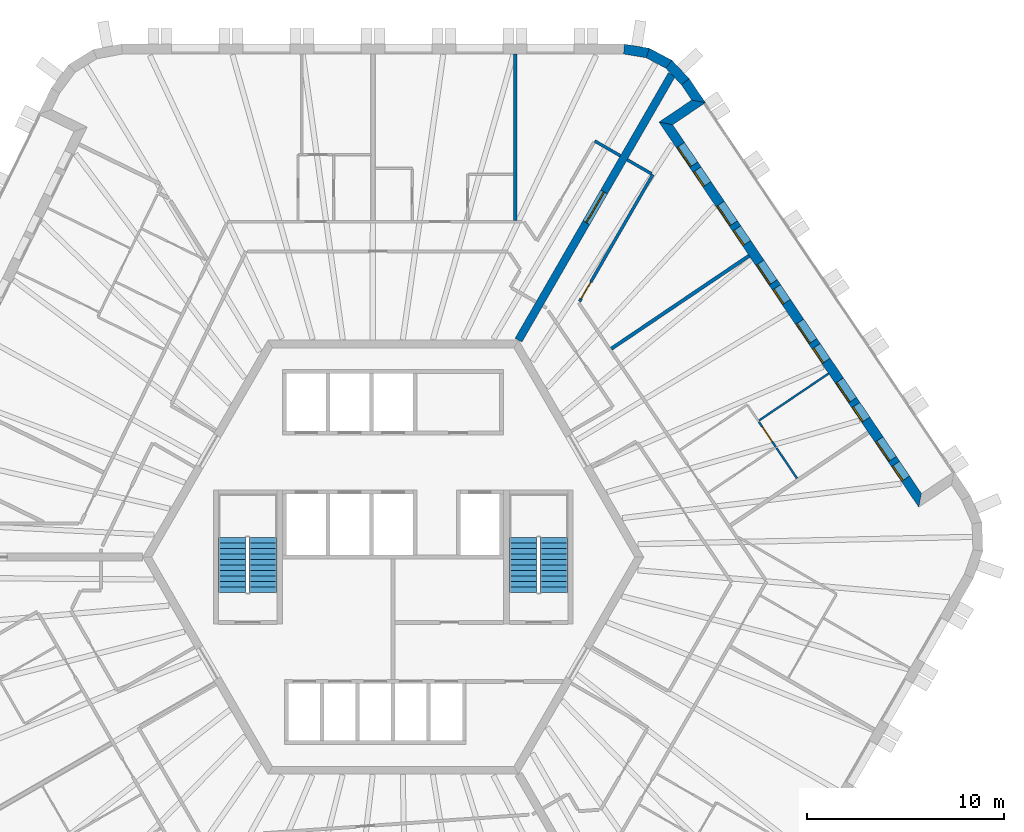
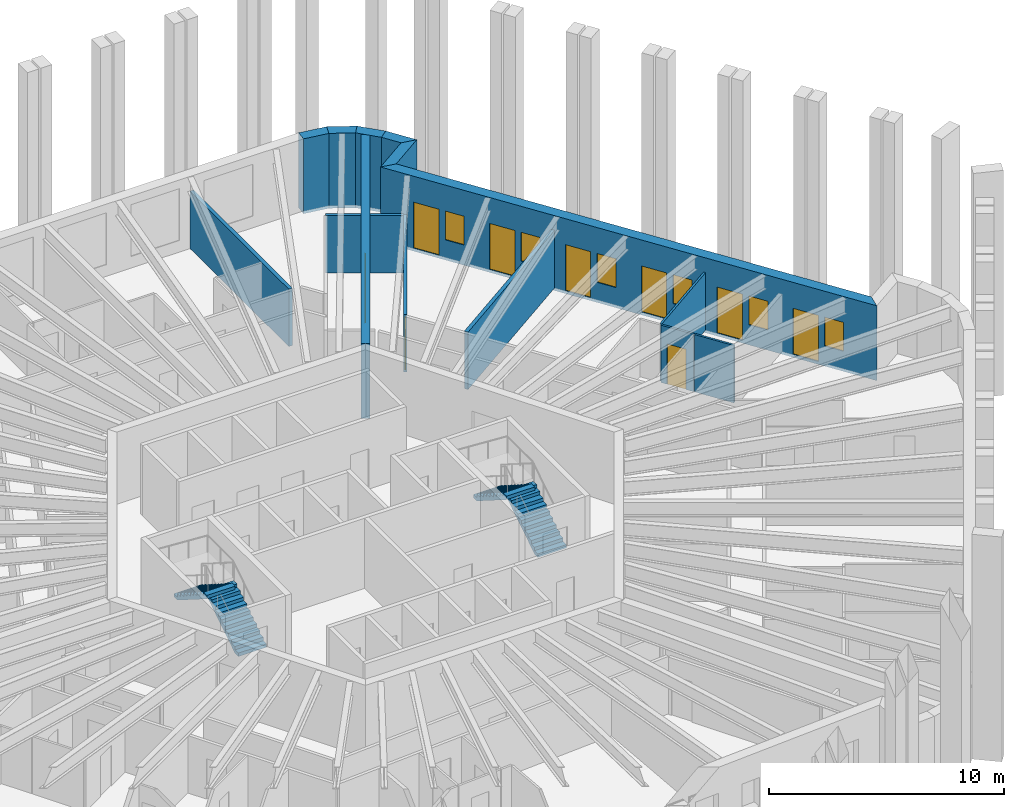
# One storey, part 10 of 12: 15 walls, 9 doors, 6 windows, 4 stair flights, 15 openings, 2 elements without a shape of their own.
"""IFC4 building model written with IfcOpenShell, lengths in metres."""

from ifc_helpers import new_model, si_unit, direction, frame, frame_2d, origin, place, context, subcontext, project, spatial, polyline, rectangle, outline, extrude, material, layer, layer_set, type_object, element, fill, aggregate, save


model = new_model("IFC4")

# Units and contexts
model_context = context("Model", 3, precision=1e-05, world=origin(), true_north=direction((0.0, 1.0)))
body_context = subcontext(model_context, "Body", "Model", "MODEL_VIEW")
ifc_project = project(units=[si_unit("LENGTHUNIT", "METRE"), si_unit("AREAUNIT", "SQUARE_METRE"), si_unit("VOLUMEUNIT", "CUBIC_METRE"), si_unit("PLANEANGLEUNIT", "RADIAN"), si_unit("MASSUNIT", "GRAM", prefix="KILO")], contexts=[model_context])

# Site, building, storey
site_placement = place(None, origin())
site = spatial("IfcSite", under=ifc_project, at=site_placement, CompositionType="ELEMENT")
building_placement = place(site_placement, origin())
building = spatial("IfcBuilding", under=site, at=building_placement, Name="Tarnside Tower", CompositionType="ELEMENT")
storey_placement = place(building_placement, frame((0.0, 0.0, 291.300048828125)))
storey = spatial("IfcBuildingStorey", under=building, at=storey_placement, Name="L70", CompositionType="ELEMENT", Elevation=291.300048828125)

# Wall
ifc_material_1 = material(Name="Gypsum board partition on steel studs", Category="steel")
ifc_layer_1 = layer(ifc_material_1, 0.10009765625)
ifc_layer_set_1 = layer_set([ifc_layer_1], Name="Bathroom wall 100")
wall_type_1 = type_object("IfcWallType", Name="Bathroom wall 100", PredefinedType="PARTITIONING", material=ifc_layer_set_1)
wall_1_placement = place(storey_placement, frame((20.46630859375, 3.992431640625, 0.0), z_axis=(0.0, 0.0, 1.0), x_axis=(-0.559110227504, 0.829093332201, 0.0)))
element("IfcWall", 1, at=wall_1_placement, inside=storey, type_object=wall_type_1, Name="Bathroom wall 23163", PredefinedType="PARTITIONING", context=body_context, shape_type="SweptSolid", body=[
    extrude(rectangle(XDim=1.86181640625, YDim=0.10009765625, at=frame_2d((0.930908203125, 0.0))), origin(), (0.0, 0.0, 1.0), 2.98779296875),
])

# Wall, opening, door
ifc_material_2 = material(Name="Concrete C60/75", Category="concrete")
ifc_layer_2 = layer(ifc_material_2, 0.39990234375)
ifc_layer_set_2 = layer_set([ifc_layer_2], Name="Core wall Z3 400 C60/75")
wall_type_2 = type_object("IfcWallType", Name="Core wall Z3 400 C60/75", PredefinedType="SHEAR", material=ifc_layer_set_2)
wall_2_placement = place(storey_placement, frame((6.350830078125, 11.0, -0.150146484375), z_axis=(0.0, 0.0, 1.0), x_axis=(0.499998894578, 0.866026041999, 0.0)))
wall_2 = element("IfcWall", 2, at=wall_2_placement, inside=storey, type_object=wall_type_2, Name="L70 spine wall 1", PredefinedType="SHEAR", context=body_context, shape_type="SweptSolid", body=[
    extrude(rectangle(XDim=15.54443359375, YDim=0.39990234375, at=frame_2d((7.772216796875, 0.0))), origin(), (0.0, 0.0, 1.0), 3.900146484375),
])
opening_1_placement = place(wall_2_placement, frame((6.872314453125, 0.0, 0.14990234375)))
opening_1 = element("IfcOpeningElement", 3, at=opening_1_placement, cuts=wall_2, Name="Opening CD-SPN", PredefinedType="OPENING", context=body_context, shape_type="SweptSolid", body=[
    extrude(rectangle(XDim=1.800048828125, YDim=2.39990234375, at=frame_2d((0.89990234375, 1.199951171875))), frame((0.0, 0.2099609375, 0.0), z_axis=(0.0, -1.0, 0.0), x_axis=(1.0, 0.0, 0.0)), (0.0, 0.0, 1.0), 0.419921875),
])
ifc_material_3 = material(Name="Steel fire door", Category="steel")
door_type_1 = type_object("IfcDoorType", Name="Spine passage double door FD60 1800x2400", OperationType="NOTDEFINED", PredefinedType="DOOR", material=ifc_material_3)
door_1_placement = place(opening_1_placement, origin())
door_1 = element("IfcDoor", 4, at=door_1_placement, inside=storey, type_object=door_type_1, Name="L70 spine passage door 1", OperationType="DOUBLE_DOOR_SINGLE_SWING", OverallHeight=2.39990234375, OverallWidth=1.800048828125, PredefinedType="DOOR", context=body_context, shape_type="SweptSolid", body=[
    extrude(rectangle(XDim=1.800048828125, YDim=2.39990234375, at=frame_2d((0.89990234375, 1.199951171875))), frame((0.0, 0.02490234375, 0.0), z_axis=(0.0, -1.0, 0.0), x_axis=(1.0, 0.0, 0.0)), (0.0, 0.0, 1.0), 0.050048828125),
])
fill(opening_1, door_1)

# Wall
ifc_layer_3 = layer(ifc_material_1, 0.14990234375)
ifc_layer_set_3 = layer_set([ifc_layer_3], Name="Corridor wall 150 EI 60")
wall_type_3 = type_object("IfcWallType", Name="Corridor wall 150 EI 60", PredefinedType="PARTITIONING", material=ifc_layer_set_3)
wall_3_placement = place(storey_placement, frame((11.513671875, 20.342529296875, 0.0), z_axis=(0.0, 0.0, 1.0), x_axis=(-0.866031096941, 0.499990139034, 0.0)))
element("IfcWall", 5, at=wall_3_placement, inside=storey, type_object=wall_type_3, Name="Corridor wall 23001", PredefinedType="PARTITIONING", context=body_context, shape_type="SweptSolid", body=[
    extrude(rectangle(XDim=1.5, YDim=0.14990234375, at=frame_2d((0.75, 0.0))), origin(), (0.0, 0.0, 1.0), 2.98779296875),
])

# Wall, opening, door
wall_4_placement = place(storey_placement, frame((9.44384765625, 12.957275390625, 0.0), z_axis=(0.0, 0.0, 1.0), x_axis=(0.500004967958, 0.866022535513, 0.0)))
wall_4 = element("IfcWall", 6, at=wall_4_placement, inside=storey, type_object=wall_type_3, Name="Corridor wall 23067", PredefinedType="PARTITIONING", context=body_context, shape_type="SweptSolid", body=[
    extrude(rectangle(XDim=7.4306640625, YDim=0.14990234375, at=frame_2d((3.71533203125, 0.0))), origin(), (0.0, 0.0, 1.0), 2.98779296875),
])
opening_2_placement = place(wall_4_placement, frame((0.14990234375, 0.0, 0.0)))
opening_2 = element("IfcOpeningElement", 7, at=opening_2_placement, cuts=wall_4, Name="Opening D-E1", PredefinedType="OPENING", context=body_context, shape_type="SweptSolid", body=[
    extrude(rectangle(XDim=1.0, YDim=2.10009765625, at=frame_2d((0.5, 1.050048828125))), frame((0.0, 0.0849609375, 0.0), z_axis=(0.0, -1.0, 0.0), x_axis=(1.0, 0.0, 0.0)), (0.0, 0.0, 1.0), 0.169921875),
])
ifc_material_4 = material(Name="Timber door leaf", Category="wood")
door_type_2 = type_object("IfcDoorType", Name="Unit entrance door 1000 FD30S", OperationType="NOTDEFINED", PredefinedType="DOOR", material=ifc_material_4)
door_2_placement = place(opening_2_placement, origin())
door_2 = element("IfcDoor", 8, at=door_2_placement, inside=storey, type_object=door_type_2, Name="Unit door 23055", OperationType="SINGLE_SWING_RIGHT", OverallHeight=2.10009765625, OverallWidth=1.0, PredefinedType="DOOR", context=body_context, shape_type="SweptSolid", body=[
    extrude(rectangle(XDim=1.0, YDim=2.10009765625, at=frame_2d((0.5, 1.050048828125))), frame((0.0, 0.02490234375, 0.0), z_axis=(0.0, -1.0, 0.0), x_axis=(1.0, 0.0, 0.0)), (0.0, 0.0, 1.0), 0.050048828125),
])
fill(opening_2, door_2)

# Walls
wall_5_placement = place(storey_placement, frame((13.09423828125, 19.429931640625, 0.0), z_axis=(0.0, 0.0, 1.0), x_axis=(-0.866062911188, 0.499935029643, 0.0)))
element("IfcWall", 9, at=wall_5_placement, inside=storey, type_object=wall_type_3, Name="Corridor wall 23068", PredefinedType="PARTITIONING", context=body_context, shape_type="SweptSolid", body=[
    extrude(rectangle(XDim=1.425048828125, YDim=0.14990234375, at=frame_2d((0.71240234375, 0.0))), origin(), (0.0, 0.0, 1.0), 2.98779296875),
])
ifc_layer_4 = layer(ifc_material_1, 0.179931640625)
ifc_layer_set_4 = layer_set([ifc_layer_4], Name="Demising wall 180 EI 60")
wall_type_4 = type_object("IfcWallType", Name="Demising wall 180 EI 60", PredefinedType="PARTITIONING", material=ifc_layer_set_4)
for number, where, z_axis, x_axis, name in (
    (10, (6.17529296875, 25.5, 0.0), (0.0, 0.0, 1.0), (0.0, -1.0, 0.0), "Demising wall 23081"),
    (11, (18.042236328125, 15.276123046875, 0.0), (0.0, 0.0, 1.0), (-0.829037762759, -0.559192621481, 0.0), "Demising wall 23160"),
):
    element("IfcWall", number, at=place(storey_placement, frame(where, z_axis=z_axis, x_axis=x_axis)), inside=storey, type_object=wall_type_4, Name=name, PredefinedType="PARTITIONING", context=body_context, shape_type="SweptSolid", body=[
        extrude(rectangle(XDim=8.425048828125, YDim=0.179931640625, at=frame_2d((4.21240234375, 0.0))), origin(), (0.0, 0.0, 1.0), 2.98779296875),
    ])

# Wall, openings, doors, windows
ifc_material_5 = material(Name="Dark zinc cladding")
ifc_layer_5 = layer(ifc_material_5, 0.10205078125)
ifc_material_6 = material(Name="Concrete C60/75 precast", Category="concrete")
ifc_layer_6 = layer(ifc_material_6, 0.298095703125)
ifc_material_7 = material(Name="Mineral wool insulation")
ifc_layer_7 = layer(ifc_material_7, 0.10009765625)
ifc_layer_set_5 = layer_set([ifc_layer_5, ifc_layer_6, ifc_layer_7], Name="Loggia wall 500 zinc faced")
wall_type_5 = type_object("IfcWallType", Name="Loggia wall 500 zinc faced", PredefinedType="SOLIDWALL", material=ifc_layer_set_5)
wall_6_placement = place(storey_placement, frame((26.705810546875, 2.87890625, -0.150146484375), z_axis=(0.0, 0.0, 1.0), x_axis=(-0.559197891507, 0.829034208061, 0.0)))
wall_6 = element("IfcWall", 12, at=wall_6_placement, inside=storey, type_object=wall_type_5, Name="Tube wall L70 F6 back 30", PredefinedType="SOLIDWALL", context=body_context, shape_type="SweptSolid", body=[
    extrude(outline(polyline([(0.25, -0.25), (22.794677734375, -0.25), (23.294677734375, 0.25), (-0.25, 0.25), (0.25, -0.25)])), origin(), (0.0, 0.0, 1.0), 3.900146484375),
])
opening_3_placement = place(wall_6_placement, frame((1.322509765625, 0.0, 1.050048828125)))
opening_3 = element("IfcOpeningElement", 13, at=opening_3_placement, cuts=wall_6, Name="Opening WL500", PredefinedType="OPENING", context=body_context, shape_type="SweptSolid", body=[
    extrude(rectangle(XDim=0.89990234375, YDim=1.5, at=frame_2d((0.449951171875, 0.75))), frame((0.0, 0.260009765625, 0.0), z_axis=(0.0, -1.0, 0.0), x_axis=(1.0, 0.0, 0.0)), (0.0, 0.0, 1.0), 0.52001953125),
])
opening_4_placement = place(wall_6_placement, frame((2.5224609375, 0.0, 0.14990234375)))
opening_4 = element("IfcOpeningElement", 14, at=opening_4_placement, cuts=wall_6, Name="Opening DB500", PredefinedType="OPENING", context=body_context, shape_type="SweptSolid", body=[
    extrude(rectangle(XDim=1.199951171875, YDim=2.39990234375, at=frame_2d((0.60009765625, 1.199951171875))), frame((0.0, 0.260009765625, 0.0), z_axis=(0.0, -1.0, 0.0), x_axis=(1.0, 0.0, 0.0)), (0.0, 0.0, 1.0), 0.52001953125),
])
opening_5_placement = place(wall_6_placement, frame((4.92236328125, 0.0, 1.050048828125)))
opening_5 = element("IfcOpeningElement", 15, at=opening_5_placement, cuts=wall_6, Name="Opening WL500", PredefinedType="OPENING", context=body_context, shape_type="SweptSolid", body=[
    extrude(rectangle(XDim=0.89990234375, YDim=1.5, at=frame_2d((0.449951171875, 0.75))), frame((0.0, 0.260009765625, 0.0), z_axis=(0.0, -1.0, 0.0), x_axis=(1.0, 0.0, 0.0)), (0.0, 0.0, 1.0), 0.52001953125),
])
opening_6_placement = place(wall_6_placement, frame((6.122314453125, 0.0, 0.14990234375)))
opening_6 = element("IfcOpeningElement", 16, at=opening_6_placement, cuts=wall_6, Name="Opening DB500", PredefinedType="OPENING", context=body_context, shape_type="SweptSolid", body=[
    extrude(rectangle(XDim=1.199951171875, YDim=2.39990234375, at=frame_2d((0.60009765625, 1.199951171875))), frame((0.0, 0.260009765625, 0.0), z_axis=(0.0, -1.0, 0.0), x_axis=(1.0, 0.0, 0.0)), (0.0, 0.0, 1.0), 0.52001953125),
])
opening_7_placement = place(wall_6_placement, frame((8.5224609375, 0.0, 1.050048828125)))
opening_7 = element("IfcOpeningElement", 17, at=opening_7_placement, cuts=wall_6, Name="Opening WL500", PredefinedType="OPENING", context=body_context, shape_type="SweptSolid", body=[
    extrude(rectangle(XDim=0.89990234375, YDim=1.5, at=frame_2d((0.449951171875, 0.75))), frame((0.0, 0.260009765625, 0.0), z_axis=(0.0, -1.0, 0.0), x_axis=(1.0, 0.0, 0.0)), (0.0, 0.0, 1.0), 0.52001953125),
])
opening_8_placement = place(wall_6_placement, frame((9.722412109375, 0.0, 0.14990234375)))
opening_8 = element("IfcOpeningElement", 18, at=opening_8_placement, cuts=wall_6, Name="Opening DB500", PredefinedType="OPENING", context=body_context, shape_type="SweptSolid", body=[
    extrude(rectangle(XDim=1.199951171875, YDim=2.39990234375, at=frame_2d((0.60009765625, 1.199951171875))), frame((0.0, 0.260009765625, 0.0), z_axis=(0.0, -1.0, 0.0), x_axis=(1.0, 0.0, 0.0)), (0.0, 0.0, 1.0), 0.52001953125),
])
opening_9_placement = place(wall_6_placement, frame((12.122314453125, 0.0, 1.050048828125)))
opening_9 = element("IfcOpeningElement", 19, at=opening_9_placement, cuts=wall_6, Name="Opening WL500", PredefinedType="OPENING", context=body_context, shape_type="SweptSolid", body=[
    extrude(rectangle(XDim=0.89990234375, YDim=1.5, at=frame_2d((0.449951171875, 0.75))), frame((0.0, 0.260009765625, 0.0), z_axis=(0.0, -1.0, 0.0), x_axis=(1.0, 0.0, 0.0)), (0.0, 0.0, 1.0), 0.52001953125),
])
opening_10_placement = place(wall_6_placement, frame((13.322509765625, 0.0, 0.14990234375)))
opening_10 = element("IfcOpeningElement", 20, at=opening_10_placement, cuts=wall_6, Name="Opening DB500", PredefinedType="OPENING", context=body_context, shape_type="SweptSolid", body=[
    extrude(rectangle(XDim=1.199951171875, YDim=2.39990234375, at=frame_2d((0.60009765625, 1.199951171875))), frame((0.0, 0.260009765625, 0.0), z_axis=(0.0, -1.0, 0.0), x_axis=(1.0, 0.0, 0.0)), (0.0, 0.0, 1.0), 0.52001953125),
])
opening_11_placement = place(wall_6_placement, frame((15.722412109375, 0.0, 1.050048828125)))
opening_11 = element("IfcOpeningElement", 21, at=opening_11_placement, cuts=wall_6, Name="Opening WL500", PredefinedType="OPENING", context=body_context, shape_type="SweptSolid", body=[
    extrude(rectangle(XDim=0.89990234375, YDim=1.5, at=frame_2d((0.449951171875, 0.75))), frame((0.0, 0.260009765625, 0.0), z_axis=(0.0, -1.0, 0.0), x_axis=(1.0, 0.0, 0.0)), (0.0, 0.0, 1.0), 0.52001953125),
])
opening_12_placement = place(wall_6_placement, frame((16.92236328125, 0.0, 0.14990234375)))
opening_12 = element("IfcOpeningElement", 22, at=opening_12_placement, cuts=wall_6, Name="Opening DB500", PredefinedType="OPENING", context=body_context, shape_type="SweptSolid", body=[
    extrude(rectangle(XDim=1.199951171875, YDim=2.39990234375, at=frame_2d((0.60009765625, 1.199951171875))), frame((0.0, 0.260009765625, 0.0), z_axis=(0.0, -1.0, 0.0), x_axis=(1.0, 0.0, 0.0)), (0.0, 0.0, 1.0), 0.52001953125),
])
opening_13_placement = place(wall_6_placement, frame((19.322509765625, 0.0, 1.050048828125)))
opening_13 = element("IfcOpeningElement", 23, at=opening_13_placement, cuts=wall_6, Name="Opening WL500", PredefinedType="OPENING", context=body_context, shape_type="SweptSolid", body=[
    extrude(rectangle(XDim=0.89990234375, YDim=1.5, at=frame_2d((0.449951171875, 0.75))), frame((0.0, 0.260009765625, 0.0), z_axis=(0.0, -1.0, 0.0), x_axis=(1.0, 0.0, 0.0)), (0.0, 0.0, 1.0), 0.52001953125),
])
opening_14_placement = place(wall_6_placement, frame((20.5224609375, 0.0, 0.14990234375)))
opening_14 = element("IfcOpeningElement", 24, at=opening_14_placement, cuts=wall_6, Name="Opening DB500", PredefinedType="OPENING", context=body_context, shape_type="SweptSolid", body=[
    extrude(rectangle(XDim=1.199951171875, YDim=2.39990234375, at=frame_2d((0.60009765625, 1.199951171875))), frame((0.0, 0.260009765625, 0.0), z_axis=(0.0, -1.0, 0.0), x_axis=(1.0, 0.0, 0.0)), (0.0, 0.0, 1.0), 0.52001953125),
])
ifc_material_8 = material(Name="Aluminium-framed double glazing", Category="aluminium")
door_type_3 = type_object("IfcDoorType", Name="Balcony sliding door 1200 x 2400 in 500 wall", OperationType="SLIDING_TO_LEFT", PredefinedType="DOOR", material=ifc_material_8)
door_3_placement = place(opening_4_placement, frame((0.0, 0.1748046875, 0.0)))
door_3 = element("IfcDoor", 25, at=door_3_placement, inside=storey, type_object=door_type_3, Name="E.BD.L70.F6.00", OperationType="SLIDING_TO_LEFT", OverallHeight=2.39990234375, OverallWidth=1.199951171875, PredefinedType="DOOR", context=body_context, shape_type="SweptSolid", body=[
    extrude(rectangle(XDim=1.199951171875, YDim=2.39990234375, at=frame_2d((0.60009765625, 1.199951171875))), frame((0.0, 0.02490234375, 0.0), z_axis=(0.0, -1.0, 0.0), x_axis=(1.0, 0.0, 0.0)), (0.0, 0.0, 1.0), 0.050048828125),
])
fill(opening_4, door_3)
door_4_placement = place(opening_6_placement, frame((0.0, 0.1748046875, 0.0)))
door_4 = element("IfcDoor", 26, at=door_4_placement, inside=storey, type_object=door_type_3, Name="E.BD.L70.F6.01", OperationType="SLIDING_TO_LEFT", OverallHeight=2.39990234375, OverallWidth=1.199951171875, PredefinedType="DOOR", context=body_context, shape_type="SweptSolid", body=[
    extrude(rectangle(XDim=1.199951171875, YDim=2.39990234375, at=frame_2d((0.60009765625, 1.199951171875))), frame((0.0, 0.02490234375, 0.0), z_axis=(0.0, -1.0, 0.0), x_axis=(1.0, 0.0, 0.0)), (0.0, 0.0, 1.0), 0.050048828125),
])
fill(opening_6, door_4)
door_5_placement = place(opening_8_placement, frame((0.0, 0.1748046875, 0.0)))
door_5 = element("IfcDoor", 27, at=door_5_placement, inside=storey, type_object=door_type_3, Name="E.BD.L70.F6.02", OperationType="SLIDING_TO_LEFT", OverallHeight=2.39990234375, OverallWidth=1.199951171875, PredefinedType="DOOR", context=body_context, shape_type="SweptSolid", body=[
    extrude(rectangle(XDim=1.199951171875, YDim=2.39990234375, at=frame_2d((0.60009765625, 1.199951171875))), frame((0.0, 0.02490234375, 0.0), z_axis=(0.0, -1.0, 0.0), x_axis=(1.0, 0.0, 0.0)), (0.0, 0.0, 1.0), 0.050048828125),
])
fill(opening_8, door_5)
door_6_placement = place(opening_10_placement, frame((0.0, 0.1748046875, 0.0)))
door_6 = element("IfcDoor", 28, at=door_6_placement, inside=storey, type_object=door_type_3, Name="E.BD.L70.F6.03", OperationType="SLIDING_TO_LEFT", OverallHeight=2.39990234375, OverallWidth=1.199951171875, PredefinedType="DOOR", context=body_context, shape_type="SweptSolid", body=[
    extrude(rectangle(XDim=1.199951171875, YDim=2.39990234375, at=frame_2d((0.60009765625, 1.199951171875))), frame((0.0, 0.02490234375, 0.0), z_axis=(0.0, -1.0, 0.0), x_axis=(1.0, 0.0, 0.0)), (0.0, 0.0, 1.0), 0.050048828125),
])
fill(opening_10, door_6)
door_7_placement = place(opening_12_placement, frame((0.0, 0.1748046875, 0.0)))
door_7 = element("IfcDoor", 29, at=door_7_placement, inside=storey, type_object=door_type_3, Name="E.BD.L70.F6.04", OperationType="SLIDING_TO_LEFT", OverallHeight=2.39990234375, OverallWidth=1.199951171875, PredefinedType="DOOR", context=body_context, shape_type="SweptSolid", body=[
    extrude(rectangle(XDim=1.199951171875, YDim=2.39990234375, at=frame_2d((0.60009765625, 1.199951171875))), frame((0.0, 0.02490234375, 0.0), z_axis=(0.0, -1.0, 0.0), x_axis=(1.0, 0.0, 0.0)), (0.0, 0.0, 1.0), 0.050048828125),
])
fill(opening_12, door_7)
door_8_placement = place(opening_14_placement, frame((0.0, 0.1748046875, 0.0)))
door_8 = element("IfcDoor", 30, at=door_8_placement, inside=storey, type_object=door_type_3, Name="E.BD.L70.F6.05", OperationType="SLIDING_TO_LEFT", OverallHeight=2.39990234375, OverallWidth=1.199951171875, PredefinedType="DOOR", context=body_context, shape_type="SweptSolid", body=[
    extrude(rectangle(XDim=1.199951171875, YDim=2.39990234375, at=frame_2d((0.60009765625, 1.199951171875))), frame((0.0, 0.02490234375, 0.0), z_axis=(0.0, -1.0, 0.0), x_axis=(1.0, 0.0, 0.0)), (0.0, 0.0, 1.0), 0.050048828125),
])
fill(opening_14, door_8)
window_type = type_object("IfcWindowType", Name="Loggia window 900 x 1500 in 500 wall", PartitioningType="SINGLE_PANEL", PredefinedType="WINDOW", material=ifc_material_8)
window_1_placement = place(opening_3_placement, frame((0.0, 0.179931640625, 0.0)))
window_1 = element("IfcWindow", 31, at=window_1_placement, inside=storey, type_object=window_type, Name="E.LW.L70.F6.00", OverallHeight=1.5, OverallWidth=0.89990234375, PartitioningType="SINGLE_PANEL", PredefinedType="WINDOW", context=body_context, shape_type="SweptSolid", body=[
    extrude(rectangle(XDim=0.89990234375, YDim=1.5, at=frame_2d((0.449951171875, 0.75))), frame((0.0, 0.030029296875, 0.0), z_axis=(0.0, -1.0, 0.0), x_axis=(1.0, 0.0, 0.0)), (0.0, 0.0, 1.0), 0.06005859375),
])
fill(opening_3, window_1)
window_2_placement = place(opening_5_placement, frame((0.0, 0.179931640625, 0.0)))
window_2 = element("IfcWindow", 32, at=window_2_placement, inside=storey, type_object=window_type, Name="E.LW.L70.F6.01", OverallHeight=1.5, OverallWidth=0.89990234375, PartitioningType="SINGLE_PANEL", PredefinedType="WINDOW", context=body_context, shape_type="SweptSolid", body=[
    extrude(rectangle(XDim=0.89990234375, YDim=1.5, at=frame_2d((0.449951171875, 0.75))), frame((0.0, 0.030029296875, 0.0), z_axis=(0.0, -1.0, 0.0), x_axis=(1.0, 0.0, 0.0)), (0.0, 0.0, 1.0), 0.06005859375),
])
fill(opening_5, window_2)
window_3_placement = place(opening_7_placement, frame((0.0, 0.179931640625, 0.0)))
window_3 = element("IfcWindow", 33, at=window_3_placement, inside=storey, type_object=window_type, Name="E.LW.L70.F6.02", OverallHeight=1.5, OverallWidth=0.89990234375, PartitioningType="SINGLE_PANEL", PredefinedType="WINDOW", context=body_context, shape_type="SweptSolid", body=[
    extrude(rectangle(XDim=0.89990234375, YDim=1.5, at=frame_2d((0.449951171875, 0.75))), frame((0.0, 0.030029296875, 0.0), z_axis=(0.0, -1.0, 0.0), x_axis=(1.0, 0.0, 0.0)), (0.0, 0.0, 1.0), 0.06005859375),
])
fill(opening_7, window_3)
window_4_placement = place(opening_9_placement, frame((0.0, 0.179931640625, 0.0)))
window_4 = element("IfcWindow", 34, at=window_4_placement, inside=storey, type_object=window_type, Name="E.LW.L70.F6.03", OverallHeight=1.5, OverallWidth=0.89990234375, PartitioningType="SINGLE_PANEL", PredefinedType="WINDOW", context=body_context, shape_type="SweptSolid", body=[
    extrude(rectangle(XDim=0.89990234375, YDim=1.5, at=frame_2d((0.449951171875, 0.75))), frame((0.0, 0.030029296875, 0.0), z_axis=(0.0, -1.0, 0.0), x_axis=(1.0, 0.0, 0.0)), (0.0, 0.0, 1.0), 0.06005859375),
])
fill(opening_9, window_4)
window_5_placement = place(opening_11_placement, frame((0.0, 0.179931640625, 0.0)))
window_5 = element("IfcWindow", 35, at=window_5_placement, inside=storey, type_object=window_type, Name="E.LW.L70.F6.04", OverallHeight=1.5, OverallWidth=0.89990234375, PartitioningType="SINGLE_PANEL", PredefinedType="WINDOW", context=body_context, shape_type="SweptSolid", body=[
    extrude(rectangle(XDim=0.89990234375, YDim=1.5, at=frame_2d((0.449951171875, 0.75))), frame((0.0, 0.030029296875, 0.0), z_axis=(0.0, -1.0, 0.0), x_axis=(1.0, 0.0, 0.0)), (0.0, 0.0, 1.0), 0.06005859375),
])
fill(opening_11, window_5)
window_6_placement = place(opening_13_placement, frame((0.0, 0.179931640625, 0.0)))
window_6 = element("IfcWindow", 36, at=window_6_placement, inside=storey, type_object=window_type, Name="E.LW.L70.F6.05", OverallHeight=1.5, OverallWidth=0.89990234375, PartitioningType="SINGLE_PANEL", PredefinedType="WINDOW", context=body_context, shape_type="SweptSolid", body=[
    extrude(rectangle(XDim=0.89990234375, YDim=1.5, at=frame_2d((0.449951171875, 0.75))), frame((0.0, 0.030029296875, 0.0), z_axis=(0.0, -1.0, 0.0), x_axis=(1.0, 0.0, 0.0)), (0.0, 0.0, 1.0), 0.06005859375),
])
fill(opening_13, window_6)

# Walls
wall_7_placement = place(storey_placement, frame((13.8193359375, 21.983642578125, -0.150146484375), z_axis=(0.0, 0.0, 1.0), x_axis=(0.829052389485, 0.559170935841, 0.0)))
element("IfcWall", 37, at=wall_7_placement, inside=storey, type_object=wall_type_5, Name="Tube wall L70 F6 return 31", PredefinedType="SOLIDWALL", context=body_context, shape_type="SweptSolid", body=[
    extrude(outline(polyline([(0.25, -0.25), (2.25, -0.25), (1.75, 0.25), (-0.25, 0.25), (0.25, -0.25)])), origin(), (0.0, 0.0, 1.0), 3.900146484375),
])
wall_8_placement = place(storey_placement, frame((15.4775390625, 23.10205078125, -0.150146484375), z_axis=(0.0, 0.0, 1.0), x_axis=(-0.559245726333, 0.829001940636, 0.0)))
element("IfcWall", 38, at=wall_8_placement, inside=storey, type_object=wall_type_5, Name="Tube wall L70 F6 stub 32", PredefinedType="SOLIDWALL", context=body_context, shape_type="SweptSolid", body=[
    extrude(outline(polyline([(-0.25, -0.25), (1.220703125, -0.25), (1.1796875, 0.25), (0.25, 0.25), (-0.25, -0.25)])), origin(), (0.0, 0.0, 1.0), 3.900146484375),
])
ifc_layer_8 = layer(ifc_material_1, 0.10009765625)
ifc_layer_set_6 = layer_set([ifc_layer_8], Name="Partition 100")
wall_type_6 = type_object("IfcWallType", Name="Partition 100", PredefinedType="PARTITIONING", material=ifc_layer_set_6)
wall_9_placement = place(storey_placement, frame((18.545166015625, 6.930419921875, 0.0), z_axis=(0.0, 0.0, 1.0), x_axis=(0.829051072067, 0.5591728891, 0.0)))
element("IfcWall", 39, at=wall_9_placement, inside=storey, type_object=wall_type_6, Name="Partition wall 23159", PredefinedType="PARTITIONING", context=body_context, shape_type="SweptSolid", body=[
    extrude(rectangle(XDim=4.25, YDim=0.10009765625, at=frame_2d((2.125, 0.0))), origin(), (0.0, 0.0, 1.0), 2.98779296875),
])

# Wall, opening, door
wall_10_placement = place(storey_placement, frame((19.3994140625, 5.57421875, 0.0), z_axis=(0.0, 0.0, 1.0), x_axis=(-0.559156753744, 0.829061954707, 0.0)))
wall_10 = element("IfcWall", 40, at=wall_10_placement, inside=storey, type_object=wall_type_6, Name="Partition wall 23162", PredefinedType="PARTITIONING", context=body_context, shape_type="SweptSolid", body=[
    extrude(rectangle(XDim=1.55224609375, YDim=0.10009765625, at=frame_2d((0.776123046875, 0.0))), origin(), (0.0, 0.0, 1.0), 2.98779296875),
])
opening_15_placement = place(wall_10_placement, frame((0.35205078125, 0.0, 0.0)))
opening_15 = element("IfcOpeningElement", 41, at=opening_15_placement, cuts=wall_10, Name="Opening D-I1", PredefinedType="OPENING", context=body_context, shape_type="SweptSolid", body=[
    extrude(rectangle(XDim=0.89990234375, YDim=2.10009765625, at=frame_2d((0.449951171875, 1.050048828125))), frame((0.0, 0.06005859375, 0.0), z_axis=(0.0, -1.0, 0.0), x_axis=(1.0, 0.0, 0.0)), (0.0, 0.0, 1.0), 0.1201171875),
])
door_type_4 = type_object("IfcDoorType", Name="Internal door 900", OperationType="NOTDEFINED", PredefinedType="DOOR", material=ifc_material_4)
door_9_placement = place(opening_15_placement, origin())
door_9 = element("IfcDoor", 42, at=door_9_placement, inside=storey, type_object=door_type_4, Name="Internal door 23054", OperationType="SINGLE_SWING_LEFT", OverallHeight=2.10009765625, OverallWidth=0.89990234375, PredefinedType="DOOR", context=body_context, shape_type="SweptSolid", body=[
    extrude(rectangle(XDim=0.89990234375, YDim=2.10009765625, at=frame_2d((0.449951171875, 1.050048828125))), frame((0.0, 0.02490234375, 0.0), z_axis=(0.0, -1.0, 0.0), x_axis=(1.0, 0.0, 0.0)), (0.0, 0.0, 1.0), 0.050048828125),
])
fill(opening_15, door_9)

# Walls
ifc_material_9 = material(Name="Facing brick", Category="masonry")
ifc_layer_9 = layer(ifc_material_9, 0.10205078125)
ifc_layer_10 = layer(ifc_material_6, 0.298095703125)
ifc_layer_11 = layer(ifc_material_7, 0.10009765625)
ifc_layer_set_7 = layer_set([ifc_layer_9, ifc_layer_10, ifc_layer_11], Name="Tube wall 500 brick faced")
wall_type_7 = type_object("IfcWallType", Name="Tube wall 500 brick faced", PredefinedType="SOLIDWALL", material=ifc_layer_set_7)
wall_11_placement = place(storey_placement, frame((14.806396484375, 24.096923828125, -0.150146484375), z_axis=(0.0, 0.0, 1.0), x_axis=(-0.686234452793, 0.727380420275, 0.0)))
element("IfcWall", 43, at=wall_11_placement, inside=storey, type_object=wall_type_7, Name="Tube wall L70 F6 chord 33", PredefinedType="SOLIDWALL", context=body_context, shape_type="SweptSolid", body=[
    extrude(outline(polyline([(-0.0205078125, -0.25), (1.25732421875, -0.25), (1.17529296875, 0.25), (0.0205078125, 0.25), (-0.0205078125, -0.25)])), origin(), (0.0, 0.0, 1.0), 3.900146484375),
])
wall_12_placement = place(storey_placement, frame((13.9716796875, 24.981689453125, -0.150146484375), z_axis=(0.0, 0.0, 1.0), x_axis=(-0.882902492938, 0.469556373575, 0.0)))
element("IfcWall", 44, at=wall_12_placement, inside=storey, type_object=wall_type_7, Name="Tube wall L70 F6 chord 34", PredefinedType="SOLIDWALL", context=body_context, shape_type="SweptSolid", body=[
    extrude(outline(polyline([(-0.041015625, -0.25), (1.257080078125, -0.25), (1.175048828125, 0.25), (0.041015625, 0.25), (-0.041015625, -0.25)])), origin(), (0.0, 0.0, 1.0), 3.900146484375),
])
wall_13_placement = place(storey_placement, frame((12.89794921875, 25.552734375, -0.150146484375), z_axis=(0.0, 0.0, 1.0), x_axis=(-0.986765617372, 0.16215306464, 0.0)))
element("IfcWall", 45, at=wall_13_placement, inside=storey, type_object=wall_type_7, Name="Tube wall L70 F6 chord 35", PredefinedType="SOLIDWALL", context=body_context, shape_type="SweptSolid", body=[
    extrude(outline(polyline([(-0.041015625, -0.25), (1.237060546875, -0.25), (1.196044921875, 0.25), (0.041015625, 0.25), (-0.041015625, -0.25)])), origin(), (0.0, 0.0, 1.0), 3.900146484375),
])

# Stair, stair flights
ifc_material_10 = material(Name="Concrete C40/50", Category="concrete")
stair_type = type_object("IfcStairType", Name="Exit stair 1400 clear", PredefinedType="HALF_TURN_STAIR", material=ifc_material_10)
stair_1_placement = place(storey_placement, origin())
stair_1 = element("IfcStair", 46, at=stair_1_placement, inside=storey, type_object=stair_type, Name="L70 Exit stair 1", PredefinedType="HALF_TURN_STAIR")
stair_flight_type = type_object("IfcStairFlightType", Name="Exit stair flight 1400", PredefinedType="STRAIGHT", material=ifc_material_10)
stair_flight_1_placement = place(storey_placement, frame((8.14990234375, -1.800048828125, 0.0), z_axis=(0.0, 0.0, 1.0), x_axis=(0.0, 1.0, 0.0)))
stair_flight_1 = element("IfcStairFlight", 47, at=stair_flight_1_placement, type_object=stair_flight_type, Name="ST1 flight 1", NumberOfRisers=11, NumberOfTreads=10, PredefinedType="STRAIGHT", RiserHeight=0.177272727, TreadLength=0.28, context=body_context, shape_type="SweptSolid", body=[
    extrude(outline(polyline([(0.0, 0.0), (0.0, 0.17724609375), (0.280029296875, 0.17724609375), (0.280029296875, 0.3544921875), (0.56005859375, 0.3544921875), (0.56005859375, 0.53173828125), (0.840087890625, 0.53173828125), (0.840087890625, 0.708984375), (1.1201171875, 0.708984375), (1.1201171875, 0.886474609375), (1.39990234375, 0.886474609375), (1.39990234375, 1.063720703125), (1.679931640625, 1.063720703125), (1.679931640625, 1.240966796875), (1.9599609375, 1.240966796875), (1.9599609375, 1.418212890625), (2.239990234375, 1.418212890625), (2.239990234375, 1.595458984375), (2.52001953125, 1.595458984375), (2.52001953125, 1.772705078125), (2.800048828125, 1.772705078125), (2.800048828125, 1.949951171875), (2.800048828125, 1.59521484375), (0.2802734375, 0.0), (0.0, 0.0)])), frame((0.0, 0.699951171875, 0.0), z_axis=(0.0, -1.0, 0.0), x_axis=(1.0, 0.0, 0.0)), (0.0, 0.0, 1.0), 1.39990234375),
])
stair_flight_2_placement = place(storey_placement, frame((6.60009765625, 1.0, 1.949951171875), z_axis=(0.0, 0.0, 1.0), x_axis=(0.0, -1.0, 0.0)))
stair_flight_2 = element("IfcStairFlight", 48, at=stair_flight_2_placement, type_object=stair_flight_type, Name="ST1 flight 2", NumberOfRisers=11, NumberOfTreads=10, PredefinedType="STRAIGHT", RiserHeight=0.177272727, TreadLength=0.28, context=body_context, shape_type="SweptSolid", body=[
    extrude(outline(polyline([(0.0, 0.0), (0.0, 0.17724609375), (0.280029296875, 0.17724609375), (0.280029296875, 0.3544921875), (0.56005859375, 0.3544921875), (0.56005859375, 0.53173828125), (0.840087890625, 0.53173828125), (0.840087890625, 0.708984375), (1.1201171875, 0.708984375), (1.1201171875, 0.886474609375), (1.39990234375, 0.886474609375), (1.39990234375, 1.063720703125), (1.679931640625, 1.063720703125), (1.679931640625, 1.240966796875), (1.9599609375, 1.240966796875), (1.9599609375, 1.418212890625), (2.239990234375, 1.418212890625), (2.239990234375, 1.595458984375), (2.52001953125, 1.595458984375), (2.52001953125, 1.772705078125), (2.800048828125, 1.772705078125), (2.800048828125, 1.949951171875), (2.800048828125, 1.59521484375), (0.2802734375, 0.0), (0.0, 0.0)])), frame((0.0, 0.699951171875, 0.0), z_axis=(0.0, -1.0, 0.0), x_axis=(1.0, 0.0, 0.0)), (0.0, 0.0, 1.0), 1.39990234375),
])
aggregate(stair_1, [stair_flight_1, stair_flight_2])

stair_2_placement = place(storey_placement, origin())
stair_2 = element("IfcStair", 49, at=stair_2_placement, inside=storey, type_object=stair_type, Name="L70 Exit stair 2", PredefinedType="HALF_TURN_STAIR")
stair_flight_3_placement = place(storey_placement, frame((-6.60009765625, -1.800048828125, 0.0), z_axis=(0.0, 0.0, 1.0), x_axis=(0.0, 1.0, 0.0)))
stair_flight_3 = element("IfcStairFlight", 50, at=stair_flight_3_placement, type_object=stair_flight_type, Name="ST2 flight 1", NumberOfRisers=11, NumberOfTreads=10, PredefinedType="STRAIGHT", RiserHeight=0.177272727, TreadLength=0.28, context=body_context, shape_type="SweptSolid", body=[
    extrude(outline(polyline([(0.0, 0.0), (0.0, 0.17724609375), (0.280029296875, 0.17724609375), (0.280029296875, 0.3544921875), (0.56005859375, 0.3544921875), (0.56005859375, 0.53173828125), (0.840087890625, 0.53173828125), (0.840087890625, 0.708984375), (1.1201171875, 0.708984375), (1.1201171875, 0.886474609375), (1.39990234375, 0.886474609375), (1.39990234375, 1.063720703125), (1.679931640625, 1.063720703125), (1.679931640625, 1.240966796875), (1.9599609375, 1.240966796875), (1.9599609375, 1.418212890625), (2.239990234375, 1.418212890625), (2.239990234375, 1.595458984375), (2.52001953125, 1.595458984375), (2.52001953125, 1.772705078125), (2.800048828125, 1.772705078125), (2.800048828125, 1.949951171875), (2.800048828125, 1.59521484375), (0.2802734375, 0.0), (0.0, 0.0)])), frame((0.0, 0.699951171875, 0.0), z_axis=(0.0, -1.0, 0.0), x_axis=(1.0, 0.0, 0.0)), (0.0, 0.0, 1.0), 1.39990234375),
])
stair_flight_4_placement = place(storey_placement, frame((-8.14990234375, 1.0, 1.949951171875), z_axis=(0.0, 0.0, 1.0), x_axis=(0.0, -1.0, 0.0)))
stair_flight_4 = element("IfcStairFlight", 51, at=stair_flight_4_placement, type_object=stair_flight_type, Name="ST2 flight 2", NumberOfRisers=11, NumberOfTreads=10, PredefinedType="STRAIGHT", RiserHeight=0.177272727, TreadLength=0.28, context=body_context, shape_type="SweptSolid", body=[
    extrude(outline(polyline([(0.0, 0.0), (0.0, 0.17724609375), (0.280029296875, 0.17724609375), (0.280029296875, 0.3544921875), (0.56005859375, 0.3544921875), (0.56005859375, 0.53173828125), (0.840087890625, 0.53173828125), (0.840087890625, 0.708984375), (1.1201171875, 0.708984375), (1.1201171875, 0.886474609375), (1.39990234375, 0.886474609375), (1.39990234375, 1.063720703125), (1.679931640625, 1.063720703125), (1.679931640625, 1.240966796875), (1.9599609375, 1.240966796875), (1.9599609375, 1.418212890625), (2.239990234375, 1.418212890625), (2.239990234375, 1.595458984375), (2.52001953125, 1.595458984375), (2.52001953125, 1.772705078125), (2.800048828125, 1.772705078125), (2.800048828125, 1.949951171875), (2.800048828125, 1.59521484375), (0.2802734375, 0.0), (0.0, 0.0)])), frame((0.0, 0.699951171875, 0.0), z_axis=(0.0, -1.0, 0.0), x_axis=(1.0, 0.0, 0.0)), (0.0, 0.0, 1.0), 1.39990234375),
])
aggregate(stair_2, [stair_flight_3, stair_flight_4])

save(model, "model.ifc")
